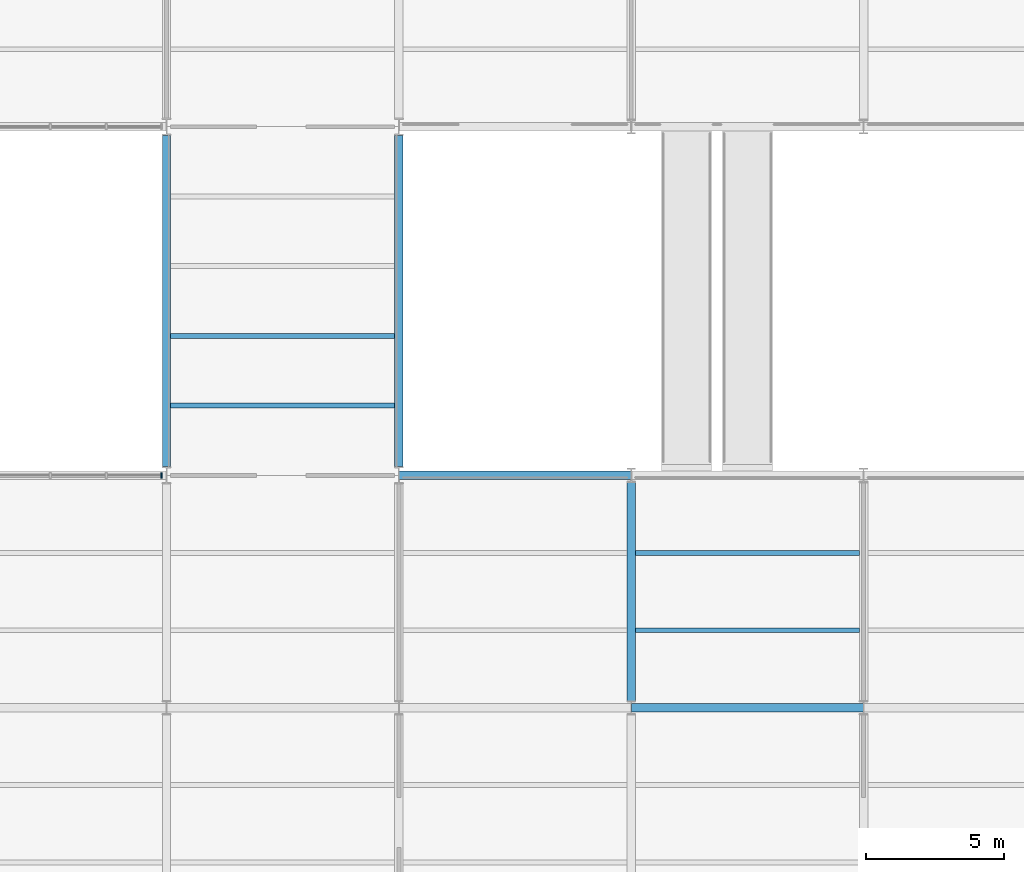
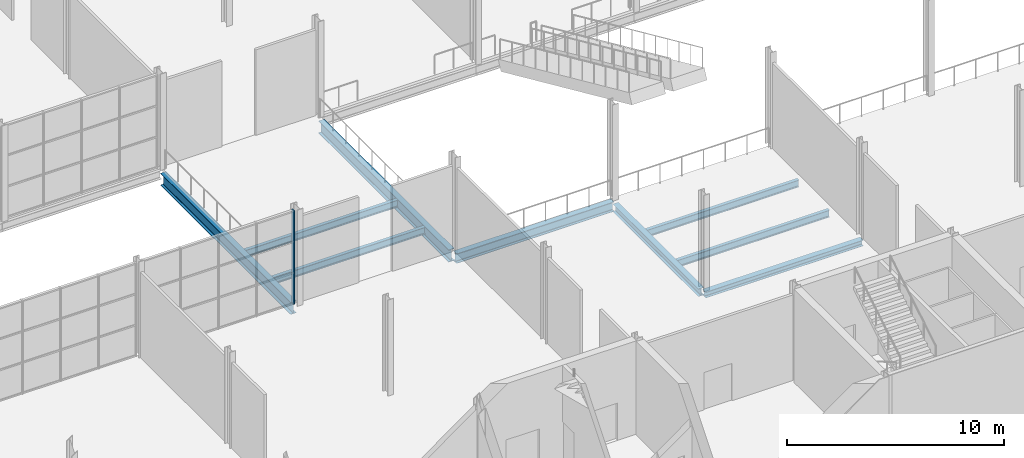
# One storey, part 15 of 64: 9 beams, 1 member, 1 element without a shape of its own.
"""IFC4 building model written with IfcOpenShell, lengths in metres."""

from ifc_helpers import new_model, si_unit, direction, frame, origin, origin_2d, place, context, subcontext, project, spatial, rectangle, i_section, extrude, material, layer, layer_set, material_profile, profile_set, type_object, element, aggregate, save


model = new_model("IFC4")

# Units and contexts
model_context = context("Model", 3, precision=1e-05, world=origin(), true_north=direction((0.0, 1.0)))
body_context = subcontext(model_context, "Body", "Model", "MODEL_VIEW")
ifc_project = project(units=[si_unit("LENGTHUNIT", "METRE"), si_unit("AREAUNIT", "SQUARE_METRE"), si_unit("VOLUMEUNIT", "CUBIC_METRE"), si_unit("PLANEANGLEUNIT", "RADIAN"), si_unit("MASSUNIT", "GRAM", prefix="KILO")], contexts=[model_context])

# Site, building, storey
site_placement = place(None, origin())
site = spatial("IfcSite", under=ifc_project, at=site_placement, CompositionType="ELEMENT")
building_placement = place(site_placement, origin())
building = spatial("IfcBuilding", under=site, at=building_placement, Name="Galleria Vessillo Department Store", CompositionType="ELEMENT")
storey_placement = place(building_placement, frame((0.0, 0.0, 6.0)))
storey = spatial("IfcBuildingStorey", under=building, at=storey_placement, Name="L01", CompositionType="ELEMENT", Elevation=6.0)

# Curtain wall, member
ifc_material_1 = material(Name="Aluminium and glass curtain wall", Category="aluminium")
ifc_layer = layer(ifc_material_1, 0.199951171875)
ifc_layer_set = layer_set([ifc_layer], Name="Aluminium and glass curtain wall")
curtain_wall_type = type_object("IfcCurtainWallType", Name="Arcade curtain wall CW1 2100 module", PredefinedType="NOTDEFINED", material=ifc_layer_set)
curtain_wall_placement = place(storey_placement, origin())
curtain_wall = element("IfcCurtainWall", 1, at=curtain_wall_placement, inside=storey, type_object=curtain_wall_type, Name="Arcade curtain wall CW1 2100 module AI-AW-S-L01-02", PredefinedType="NOTDEFINED")
ifc_material_2 = material(Name="Aluminium alloy 6063 T6", Category="aluminium")
ifc_material_profile_1 = material_profile(ifc_material_2, rectangle(XDim=0.199951171875, YDim=0.06005859375, at=origin_2d()), Name="AL 60x200")
ifc_profile_set_1 = profile_set([ifc_material_profile_1], Name="Aluminium alloy 6063 T6")
member_type = type_object("IfcMemberType", Name="Aluminium mullion 60 x 200", PredefinedType="MULLION", material=ifc_profile_set_1)
member_placement = place(storey_placement, frame((33.41748046875, 25.199951171875, 0.0), z_axis=(0.0, 0.0, 1.0), x_axis=(0.0, 1.0, 0.0)))
member = element("IfcMember", 2, at=member_placement, type_object=member_type, Name="CW1 mullion 5", PredefinedType="MULLION", context=body_context, shape_type="SweptSolid", body=[
    extrude(rectangle(XDim=0.199951171875, YDim=0.06005859375, at=origin_2d()), origin(), (0.0, 0.0, 1.0), 5.25),
])
aggregate(curtain_wall, [member])

# Beams
ifc_material_3 = material(Name="Steel S355 J2", Category="steel")
ifc_material_profile_2 = material_profile(ifc_material_3, i_section(OverallWidth=0.300048828125, OverallDepth=0.68994140625, WebThickness=0.014404296875, FlangeThickness=0.027099609375, FilletRadius=0.027099609375, at=origin_2d()), Name="HEA 700")
ifc_profile_set_2 = profile_set([ifc_material_profile_2], Name="Steel S355 J2")
beam_type_1 = type_object("IfcBeamType", Name="Bridge girder HEA 700", PredefinedType="BEAM", material=ifc_profile_set_2)
for number, where, z_axis, x_axis, name in (
    (3, (33.60009765625, 25.51025390625, -0.494873046875), (0.0, 1.0, 0.0), (-1.0, 0.0, 0.0), "S-BM-L01-BR-y33600-25510"),
    (4, (42.0, 25.51025390625, -0.494873046875), (0.0, 1.0, 0.0), (-1.0, 0.0, 0.0), "S-BM-L01-BR-y42000-25510"),
):
    element("IfcBeam", number, at=place(storey_placement, frame(where, z_axis=z_axis, x_axis=x_axis)), inside=storey, type_object=beam_type_1, Name=name, PredefinedType="BEAM", context=body_context, shape_type="SweptSolid", body=[
        extrude(i_section(OverallWidth=0.300048828125, OverallDepth=0.68994140625, WebThickness=0.014404296875, FlangeThickness=0.027099609375, FilletRadius=0.027099609375, at=origin_2d()), origin(), (0.0, 0.0, 1.0), 11.9794921875),
    ])
ifc_material_4 = material(Name="Steel S355 J2", Category="steel")
ifc_material_profile_3 = material_profile(ifc_material_4, i_section(OverallWidth=0.300048828125, OverallDepth=0.43994140625, WebThickness=0.011474609375, FlangeThickness=0.02099609375, FilletRadius=0.027099609375, at=origin_2d()), Name="HEA 450")
ifc_profile_set_3 = profile_set([ifc_material_profile_3], Name="Steel S355 J2")
beam_type_2 = type_object("IfcBeamType", Name="Floor girder HEA 450", PredefinedType="BEAM", material=ifc_profile_set_3)
beam_1_placement = place(storey_placement, frame((50.39990234375, 17.050048828125, -0.369873046875), z_axis=(0.0, 1.0, 0.0), x_axis=(-1.0, 0.0, 0.0)))
element("IfcBeam", 5, at=beam_1_placement, inside=storey, type_object=beam_type_2, Name="S-BM-L01-GI-y50400-17050", PredefinedType="BEAM", context=body_context, shape_type="SweptSolid", body=[
    extrude(i_section(OverallWidth=0.300048828125, OverallDepth=0.43994140625, WebThickness=0.011474609375, FlangeThickness=0.02099609375, FilletRadius=0.027099609375, at=origin_2d()), origin(), (0.0, 0.0, 1.0), 7.887939453125),
])
ifc_material_5 = material(Name="Steel S355 J2", Category="steel")
ifc_material_profile_4 = material_profile(ifc_material_5, i_section(OverallWidth=0.179931640625, OverallDepth=0.39990234375, WebThickness=0.008544921875, FlangeThickness=0.013427734375, FilletRadius=0.02099609375, at=origin_2d()), Name="IPE 400")
ifc_profile_set_4 = profile_set([ifc_material_profile_4], Name="Steel S355 J2")
beam_type_3 = type_object("IfcBeamType", Name="Floor joist IPE 400", PredefinedType="JOIST", material=ifc_profile_set_4)
for number, where, z_axis, x_axis, name in (
    (6, (33.750244140625, 27.719970703125, -0.349853515625), (1.0, 0.0, 0.0), (0.0, 1.0, 0.0), "S-BM-L01-JO-x27720-33750"),
    (7, (33.750244140625, 30.239990234375, -0.349853515625), (1.0, 0.0, 0.0), (0.0, 1.0, 0.0), "S-BM-L01-JO-x30240-33750"),
):
    element("IfcBeam", number, at=place(storey_placement, frame(where, z_axis=z_axis, x_axis=x_axis)), inside=storey, type_object=beam_type_3, Name=name, PredefinedType="JOIST", context=body_context, shape_type="SweptSolid", body=[
        extrude(i_section(OverallWidth=0.179931640625, OverallDepth=0.39990234375, WebThickness=0.008544921875, FlangeThickness=0.013427734375, FilletRadius=0.02099609375, at=origin_2d()), origin(), (0.0, 0.0, 1.0), 8.099609375),
    ])
for number, where, z_axis, x_axis, name in (
    (8, (50.550048828125, 19.60009765625, -0.349853515625), (1.0, 0.0, 0.0), (0.0, 1.0, 0.0), "S-BM-L01-JO-x19600-50550"),
    (9, (50.550048828125, 22.39990234375, -0.349853515625), (1.0, 0.0, 0.0), (0.0, 1.0, 0.0), "S-BM-L01-JO-x22400-50550"),
):
    element("IfcBeam", number, at=place(storey_placement, frame(where, z_axis=z_axis, x_axis=x_axis)), inside=storey, type_object=beam_type_3, Name=name, PredefinedType="JOIST", context=body_context, shape_type="SweptSolid", body=[
        extrude(i_section(OverallWidth=0.179931640625, OverallDepth=0.39990234375, WebThickness=0.008544921875, FlangeThickness=0.013427734375, FilletRadius=0.02099609375, at=origin_2d()), origin(), (0.0, 0.0, 1.0), 8.099853515625),
    ])
ifc_material_6 = material(Name="Steel S355 J2", Category="steel")
ifc_material_profile_5 = material_profile(ifc_material_6, i_section(OverallWidth=0.300048828125, OverallDepth=0.330078125, WebThickness=0.009521484375, FlangeThickness=0.0166015625, FilletRadius=0.027099609375, at=origin_2d()), Name="HEA 340")
ifc_profile_set_5 = profile_set([ifc_material_profile_5], Name="Steel S355 J2")
beam_type_4 = type_object("IfcBeamType", Name="Floor tie girder HEA 340", PredefinedType="BEAM", material=ifc_profile_set_5)
beam_2_placement = place(storey_placement, frame((50.407470703125, 16.800048828125, -0.31494140625), z_axis=(1.0, 0.0, 0.0), x_axis=(0.0, 1.0, 0.0)))
element("IfcBeam", 10, at=beam_2_placement, inside=storey, type_object=beam_type_4, Name="S-BM-L01-TI-x16800-50407", PredefinedType="BEAM", context=body_context, shape_type="SweptSolid", body=[
    extrude(i_section(OverallWidth=0.300048828125, OverallDepth=0.330078125, WebThickness=0.009521484375, FlangeThickness=0.0166015625, FilletRadius=0.027099609375, at=origin_2d()), origin(), (0.0, 0.0, 1.0), 8.38525390625),
])
ifc_material_7 = material(Name="Steel S355 J2", Category="steel")
ifc_material_profile_6 = material_profile(ifc_material_7, i_section(OverallWidth=0.300048828125, OverallDepth=0.5400390625, WebThickness=0.012451171875, FlangeThickness=0.02392578125, FilletRadius=0.027099609375, at=origin_2d()), Name="HEA 550")
ifc_profile_set_6 = profile_set([ifc_material_profile_6], Name="Steel S355 J2")
beam_type_5 = type_object("IfcBeamType", Name="Trimmer beam HEA 550", PredefinedType="BEAM", material=ifc_profile_set_6)
beam_3_placement = place(storey_placement, frame((42.0107421875, 25.199951171875, -0.419921875), z_axis=(1.0, 0.0, 0.0), x_axis=(0.0, 1.0, 0.0)))
element("IfcBeam", 11, at=beam_3_placement, inside=storey, type_object=beam_type_5, Name="S-BM-L01-TR-x25200-42011", PredefinedType="BEAM", context=body_context, shape_type="SweptSolid", body=[
    extrude(i_section(OverallWidth=0.300048828125, OverallDepth=0.5400390625, WebThickness=0.012451171875, FlangeThickness=0.02392578125, FilletRadius=0.027099609375, at=origin_2d()), origin(), (0.0, 0.0, 1.0), 8.378662109375),
])

save(model, "model.ifc")
